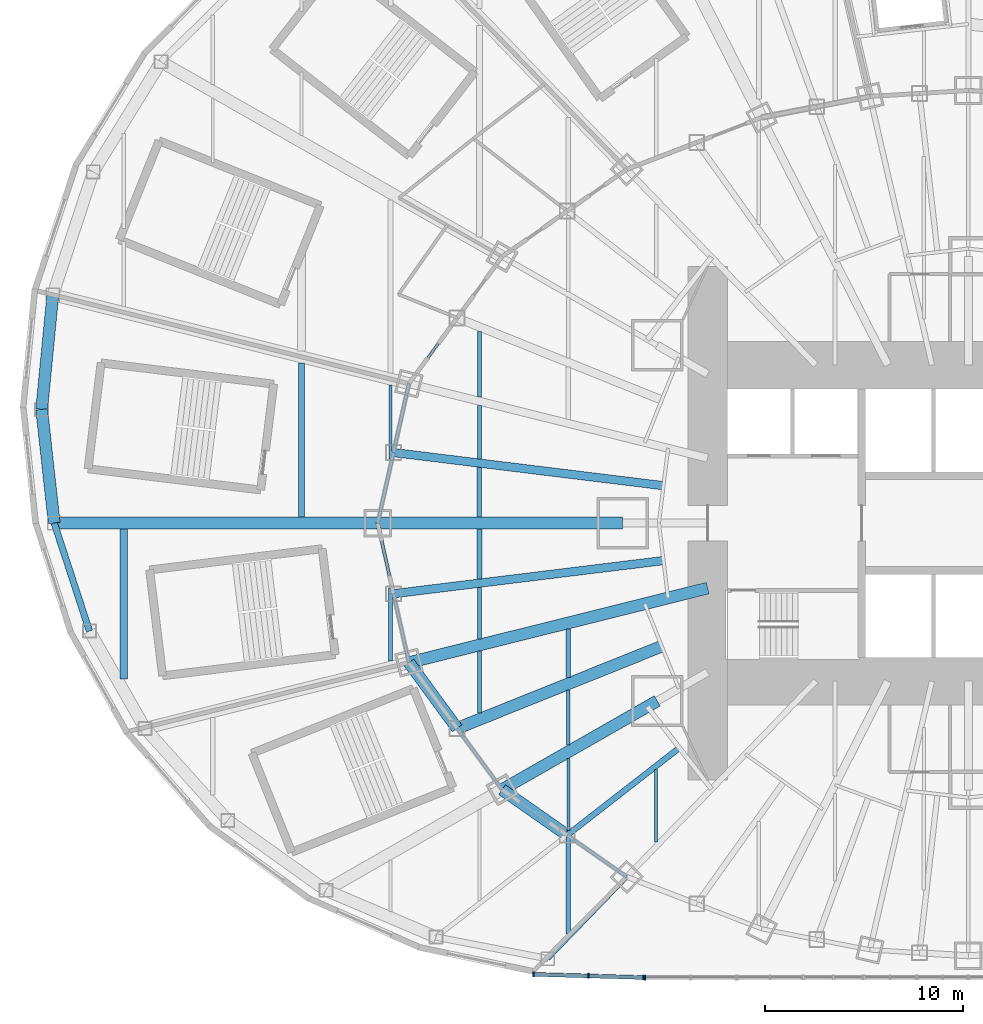
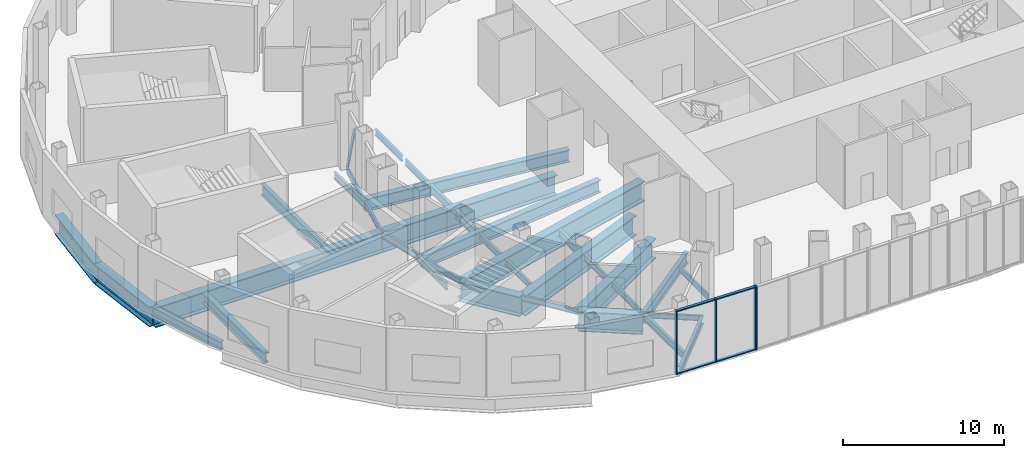
# One storey, part 2 of 73: 36 beams, 8 members, 2 elements without a shape of their own.
"""IFC4 building model written with IfcOpenShell, lengths in metres."""

from ifc_helpers import new_model, si_unit, direction, frame, origin, origin_2d, place, context, subcontext, project, spatial, rectangle, i_section, extrude, material, material_profile, profile_set, type_object, element, aggregate, save


model = new_model("IFC4")

# Units and contexts
model_context = context("Model", 3, precision=1e-05, world=origin(), true_north=direction((0.0, 1.0)))
body_context = subcontext(model_context, "Body", "Model", "MODEL_VIEW")
ifc_project = project(units=[si_unit("LENGTHUNIT", "METRE"), si_unit("AREAUNIT", "SQUARE_METRE"), si_unit("VOLUMEUNIT", "CUBIC_METRE"), si_unit("PLANEANGLEUNIT", "RADIAN"), si_unit("MASSUNIT", "GRAM", prefix="KILO")], contexts=[model_context])

# Site, building, storey
site_placement = place(None, origin())
site = spatial("IfcSite", under=ifc_project, at=site_placement, CompositionType="ELEMENT")
building_placement = place(site_placement, origin())
building = spatial("IfcBuilding", under=site, at=building_placement, Name="Lantaw Convention Tower", CompositionType="ELEMENT")
storey_placement = place(building_placement, frame((0.0, 0.0, 22.0)))
storey = spatial("IfcBuildingStorey", under=building, at=storey_placement, Name="L03", CompositionType="ELEMENT", Elevation=22.0)

# Beams
ifc_material_1 = material(Name="Steel ASTM A572 Grade 50", Category="steel")
ifc_material_profile_1 = material_profile(ifc_material_1, i_section(OverallWidth=0.60009765625, OverallDepth=1.5, WebThickness=0.02490234375, FlangeThickness=0.06005859375, at=origin_2d()), Name="PG1500X600X25X60")
ifc_profile_set_1 = profile_set([ifc_material_profile_1], Name="Steel ASTM A572 Grade 50")
beam_type_1 = type_object("IfcBeamType", Name="Beam E PG1500X600X25X60", PredefinedType="SPANDREL", material=ifc_profile_set_1)
beam_1_placement = place(storey_placement, frame((-28.31787109375, -7.060302734375, -0.949951171875), z_axis=(0.591255937291, -0.806483984105, 0.0), x_axis=(0.806483984105, 0.591255937291, 0.0)))
element("IfcBeam", 1, at=beam_1_placement, inside=storey, type_object=beam_type_1, Name="Edge beam 14", PredefinedType="SPANDREL", context=body_context, shape_type="SweptSolid", body=[
    extrude(i_section(OverallWidth=0.60009765625, OverallDepth=1.5, WebThickness=0.02490234375, FlangeThickness=0.06005859375, at=origin_2d()), origin(), (0.0, 0.0, 1.0), 4.126708984375),
])
beam_2_placement = place(storey_placement, frame((-23.60498046875, -13.488525390625, -0.949951171875), z_axis=(0.819442856133, -0.573160889744, 0.0), x_axis=(0.573160889744, 0.819442856133, 0.0)))
element("IfcBeam", 2, at=beam_2_placement, inside=storey, type_object=beam_type_1, Name="Edge beam 15", PredefinedType="SPANDREL", context=body_context, shape_type="SweptSolid", body=[
    extrude(i_section(OverallWidth=0.60009765625, OverallDepth=1.5, WebThickness=0.02490234375, FlangeThickness=0.06005859375, at=origin_2d()), origin(), (0.0, 0.0, 1.0), 4.022705078125),
])
beam_3_placement = place(storey_placement, frame((-46.342529296875, 11.554443359375, -0.949951171875), z_axis=(-0.097112121047, -0.995273447825, 0.0), x_axis=(0.995273447825, -0.097112121047, 0.0)))
element("IfcBeam", 3, at=beam_3_placement, inside=storey, type_object=beam_type_1, Name="Podium edge beam R11", PredefinedType="SPANDREL", context=body_context, shape_type="SweptSolid", body=[
    extrude(i_section(OverallWidth=0.60009765625, OverallDepth=1.5, WebThickness=0.02490234375, FlangeThickness=0.06005859375, at=origin_2d()), origin(), (0.0, 0.0, 1.0), 5.822509765625),
])
beam_4_placement = place(storey_placement, frame((-46.907958984375, 5.759521484375, -0.949951171875), z_axis=(0.109673093737, -0.993967712006, 0.0), x_axis=(0.993967712006, 0.109673093737, 0.0)))
element("IfcBeam", 4, at=beam_4_placement, inside=storey, type_object=beam_type_1, Name="Podium edge beam B11", PredefinedType="SPANDREL", context=body_context, shape_type="SweptSolid", body=[
    extrude(i_section(OverallWidth=0.60009765625, OverallDepth=1.5, WebThickness=0.02490234375, FlangeThickness=0.06005859375, at=origin_2d()), origin(), (0.0, 0.0, 1.0), 5.79443359375),
])
ifc_material_2 = material(Name="Steel ASTM A992", Category="steel")
ifc_material_profile_2 = material_profile(ifc_material_2, i_section(OverallWidth=0.140380859375, OverallDepth=0.40380859375, WebThickness=0.007080078125, FlangeThickness=0.01123046875, FilletRadius=0.01025390625, at=origin_2d()), Name="W16X31")
ifc_profile_set_2 = profile_set([ifc_material_profile_2], Name="Steel ASTM A992")
beam_type_2 = type_object("IfcBeamType", Name="Beam E W16X31", PredefinedType="SPANDREL", material=ifc_profile_set_2)
beam_5_placement = place(storey_placement, frame((-25.8779296875, 10.388427734375, -0.40185546875), z_axis=(-0.591255937291, -0.806483984105, 0.0), x_axis=(0.806483984105, -0.591255937291, 0.0)))
element("IfcBeam", 5, at=beam_5_placement, inside=storey, type_object=beam_type_2, Name="Edge beam 11", PredefinedType="SPANDREL", context=body_context, shape_type="SweptSolid", body=[
    extrude(i_section(OverallWidth=0.140380859375, OverallDepth=0.40380859375, WebThickness=0.007080078125, FlangeThickness=0.01123046875, FilletRadius=0.01025390625, at=origin_2d()), origin(), (0.0, 0.0, 1.0), 4.126708984375),
])
beam_6_placement = place(storey_placement, frame((-29.099365234375, -3.572998046875, -0.40185546875), z_axis=(0.218673326171, -0.97579812278, 0.0), x_axis=(0.97579812278, 0.218673326171, 0.0)))
element("IfcBeam", 6, at=beam_6_placement, inside=storey, type_object=beam_type_2, Name="Edge beam 13", PredefinedType="SPANDREL", context=body_context, shape_type="SweptSolid", body=[
    extrude(i_section(OverallWidth=0.140380859375, OverallDepth=0.40380859375, WebThickness=0.007080078125, FlangeThickness=0.01123046875, FilletRadius=0.01025390625, at=origin_2d()), origin(), (0.0, 0.0, 1.0), 3.57373046875),
])
beam_7_placement = place(storey_placement, frame((-25.8779296875, -10.388427734375, -0.40185546875), z_axis=(0.591286566758, -0.806461527893, 0.0), x_axis=(0.806461527893, 0.591286566758, 0.0)))
element("IfcBeam", 7, at=beam_7_placement, inside=storey, type_object=beam_type_2, Name="Edge beam 14", PredefinedType="SPANDREL", context=body_context, shape_type="SweptSolid", body=[
    extrude(i_section(OverallWidth=0.140380859375, OverallDepth=0.40380859375, WebThickness=0.007080078125, FlangeThickness=0.01123046875, FilletRadius=0.01025390625, at=origin_2d()), origin(), (0.0, 0.0, 1.0), 3.843994140625),
])
beam_8_placement = place(storey_placement, frame((-20.30859375, -15.794189453125, -0.40185546875), z_axis=(0.819409395821, -0.573208724672, 0.0), x_axis=(0.573208724672, 0.819409395821, 0.0)))
element("IfcBeam", 8, at=beam_8_placement, inside=storey, type_object=beam_type_2, Name="Edge beam 15", PredefinedType="SPANDREL", context=body_context, shape_type="SweptSolid", body=[
    extrude(i_section(OverallWidth=0.140380859375, OverallDepth=0.40380859375, WebThickness=0.007080078125, FlangeThickness=0.01123046875, FilletRadius=0.01025390625, at=origin_2d()), origin(), (0.0, 0.0, 1.0), 3.682861328125),
])
ifc_material_profile_3 = material_profile(ifc_material_2, i_section(OverallWidth=0.15234375, OverallDepth=0.449462890625, WebThickness=0.007568359375, FlangeThickness=0.0107421875, FilletRadius=0.01025390625, at=origin_2d()), Name="W18X35")
ifc_profile_set_3 = profile_set([ifc_material_profile_3], Name="Steel ASTM A992")
beam_type_3 = type_object("IfcBeamType", Name="Beam E W18X35", PredefinedType="SPANDREL", material=ifc_profile_set_3)
beam_9_placement = place(storey_placement, frame((-28.31787109375, 7.060302734375, -0.4248046875), z_axis=(-0.218673326171, -0.97579812278, 0.0), x_axis=(0.97579812278, -0.218673326171, 0.0)))
element("IfcBeam", 9, at=beam_9_placement, inside=storey, type_object=beam_type_3, Name="Edge beam 12", PredefinedType="SPANDREL", context=body_context, shape_type="SweptSolid", body=[
    extrude(i_section(OverallWidth=0.15234375, OverallDepth=0.449462890625, WebThickness=0.007568359375, FlangeThickness=0.0107421875, FilletRadius=0.01025390625, at=origin_2d()), origin(), (0.0, 0.0, 1.0), 3.57373046875),
])
beam_10_placement = place(storey_placement, frame((-29.099365234375, 3.572998046875, -0.4248046875), z_axis=(-0.218631550323, -0.975807483679, 0.0), x_axis=(0.975807483679, -0.218631550323, 0.0)))
element("IfcBeam", 10, at=beam_10_placement, inside=storey, type_object=beam_type_3, Name="Edge beam 12", PredefinedType="SPANDREL", context=body_context, shape_type="SweptSolid", body=[
    extrude(i_section(OverallWidth=0.15234375, OverallDepth=0.449462890625, WebThickness=0.007568359375, FlangeThickness=0.0107421875, FilletRadius=0.01025390625, at=origin_2d()), origin(), (0.0, 0.0, 1.0), 3.66162109375),
])
ifc_material_profile_4 = material_profile(ifc_material_2, i_section(OverallWidth=0.165771484375, OverallDepth=0.5283203125, WebThickness=0.009765625, FlangeThickness=0.013671875, FilletRadius=0.012939453125, at=origin_2d()), Name="W21X50")
ifc_profile_set_4 = profile_set([ifc_material_profile_4], Name="Steel ASTM A992")
beam_type_4 = type_object("IfcBeamType", Name="Beam E W21X50", PredefinedType="SPANDREL", material=ifc_profile_set_4)
beam_11_placement = place(storey_placement, frame((-29.89990234375, 0.0, -0.464111328125), z_axis=(0.218631550323, -0.975807483679, 0.0), x_axis=(0.975807483679, 0.218631550323, 0.0)))
element("IfcBeam", 11, at=beam_11_placement, inside=storey, type_object=beam_type_4, Name="Edge beam 13", PredefinedType="SPANDREL", context=body_context, shape_type="SweptSolid", body=[
    extrude(i_section(OverallWidth=0.165771484375, OverallDepth=0.5283203125, WebThickness=0.009765625, FlangeThickness=0.013671875, FilletRadius=0.012939453125, at=origin_2d()), origin(), (0.0, 0.0, 1.0), 3.66162109375),
])
ifc_material_profile_5 = material_profile(ifc_material_2, i_section(OverallWidth=0.3251953125, OverallDepth=0.612060546875, WebThickness=0.0126953125, FlangeThickness=0.01904296875, FilletRadius=0.0126953125, at=origin_2d()), Name="W24X104")
ifc_profile_set_5 = profile_set([ifc_material_profile_5], Name="Steel ASTM A992")
beam_type_5 = type_object("IfcBeamType", Name="Beam E W24X104", PredefinedType="SPANDREL", material=ifc_profile_set_5)
beam_12_placement = place(storey_placement, frame((-46.2724609375, 0.0, -0.506103515625), z_axis=(0.310448009473, -0.950590360468, 0.0), x_axis=(0.950590360468, 0.310448009473, 0.0)))
element("IfcBeam", 12, at=beam_12_placement, inside=storey, type_object=beam_type_5, Name="Podium edge beam R12", PredefinedType="SPANDREL", context=body_context, shape_type="SweptSolid", body=[
    extrude(i_section(OverallWidth=0.3251953125, OverallDepth=0.612060546875, WebThickness=0.0126953125, FlangeThickness=0.01904296875, FilletRadius=0.0126953125, at=origin_2d()), origin(), (0.0, 0.0, 1.0), 5.746337890625),
])
ifc_material_profile_6 = material_profile(ifc_material_1, i_section(OverallWidth=0.60009765625, OverallDepth=1.5, WebThickness=0.02490234375, FlangeThickness=0.06005859375, at=origin_2d()), Name="PG1500X600X25X60")
ifc_profile_set_6 = profile_set([ifc_material_profile_6], Name="Steel ASTM A572 Grade 50")
beam_type_6 = type_object("IfcBeamType", Name="Beam G PG1500X600X25X60", PredefinedType="BEAM", material=ifc_profile_set_6)
beam_13_placement = place(storey_placement, frame((-17.5, 0.0, -0.949951171875), z_axis=(-1.0, 0.0, 0.0), x_axis=(0.0, -1.0, 0.0)))
element("IfcBeam", 13, at=beam_13_placement, inside=storey, type_object=beam_type_6, Name="Floor girder on ray 13", PredefinedType="BEAM", context=body_context, shape_type="SweptSolid", body=[
    extrude(i_section(OverallWidth=0.60009765625, OverallDepth=1.5, WebThickness=0.02490234375, FlangeThickness=0.06005859375, at=origin_2d()), origin(), (0.0, 0.0, 1.0), 12.39990234375),
])
beam_14_placement = place(storey_placement, frame((-13.199951171875, -3.291015625, -0.949951171875), z_axis=(-0.970296233567, -0.241919860957, 0.0), x_axis=(0.241919860957, -0.970296233567, 0.0)))
element("IfcBeam", 14, at=beam_14_placement, inside=storey, type_object=beam_type_6, Name="Floor girder on ray 14", PredefinedType="BEAM", context=body_context, shape_type="SweptSolid", body=[
    extrude(i_section(OverallWidth=0.60009765625, OverallDepth=1.5, WebThickness=0.02490234375, FlangeThickness=0.06005859375, at=origin_2d()), origin(), (0.0, 0.0, 1.0), 15.580810546875),
])
beam_15_placement = place(storey_placement, frame((-15.52001953125, -6.23046875, -0.949951171875), z_axis=(-0.928018900171, -0.372533113864, 0.0), x_axis=(0.372533113864, -0.928018900171, 0.0)))
element("IfcBeam", 15, at=beam_15_placement, inside=storey, type_object=beam_type_6, Name="Floor girder on bisector 14", PredefinedType="BEAM", context=body_context, shape_type="SweptSolid", body=[
    extrude(i_section(OverallWidth=0.60009765625, OverallDepth=1.5, WebThickness=0.02490234375, FlangeThickness=0.06005859375, at=origin_2d()), origin(), (0.0, 0.0, 1.0), 11.161376953125),
])
beam_16_placement = place(storey_placement, frame((-15.75, -9.0, -0.949951171875), z_axis=(-0.868244802791, -0.496136032179, 0.0), x_axis=(0.496136032179, -0.868244802791, 0.0)))
element("IfcBeam", 16, at=beam_16_placement, inside=storey, type_object=beam_type_6, Name="Floor girder on ray 15", PredefinedType="BEAM", context=body_context, shape_type="SweptSolid", body=[
    extrude(i_section(OverallWidth=0.60009765625, OverallDepth=1.5, WebThickness=0.02490234375, FlangeThickness=0.06005859375, at=origin_2d()), origin(), (0.0, 0.0, 1.0), 9.046875),
])
ifc_material_profile_7 = material_profile(ifc_material_2, i_section(OverallWidth=0.2919921875, OverallDepth=0.845703125, WebThickness=0.015380859375, FlangeThickness=0.0244140625, FilletRadius=0.01513671875, at=origin_2d()), Name="W33X141")
ifc_profile_set_7 = profile_set([ifc_material_profile_7], Name="Steel ASTM A992")
beam_type_7 = type_object("IfcBeamType", Name="Beam G W33X141", PredefinedType="BEAM", material=ifc_profile_set_7)
beam_17_placement = place(storey_placement, frame((-14.628173828125, -11.37646484375, -0.622802734375), z_axis=(-0.789377792374, -0.613907729961, 0.0), x_axis=(0.613907729961, -0.789377792374, 0.0)))
element("IfcBeam", 17, at=beam_17_placement, inside=storey, type_object=beam_type_7, Name="Floor girder on bisector 15", PredefinedType="BEAM", context=body_context, shape_type="SweptSolid", body=[
    extrude(i_section(OverallWidth=0.2919921875, OverallDepth=0.845703125, WebThickness=0.015380859375, FlangeThickness=0.0244140625, FilletRadius=0.01513671875, at=origin_2d()), origin(), (0.0, 0.0, 1.0), 7.196044921875),
])
ifc_material_profile_8 = material_profile(ifc_material_2, i_section(OverallWidth=0.421630859375, OverallDepth=0.937255859375, WebThickness=0.0224609375, FlangeThickness=0.039794921875, FilletRadius=0.02001953125, at=origin_2d()), Name="W36X282")
ifc_profile_set_8 = profile_set([ifc_material_profile_8], Name="Steel ASTM A992")
beam_type_8 = type_object("IfcBeamType", Name="Beam G W36X282", PredefinedType="BEAM", material=ifc_profile_set_8)
beam_18_placement = place(storey_placement, frame((-15.433349609375, 1.89501953125, -0.668701171875), z_axis=(-0.99254612715, 0.121869542874, 0.0), x_axis=(-0.121869542874, -0.99254612715, 0.0)))
element("IfcBeam", 18, at=beam_18_placement, inside=storey, type_object=beam_type_8, Name="Floor girder on bisector 12", PredefinedType="BEAM", context=body_context, shape_type="SweptSolid", body=[
    extrude(i_section(OverallWidth=0.421630859375, OverallDepth=0.937255859375, WebThickness=0.0224609375, FlangeThickness=0.039794921875, FilletRadius=0.02001953125, at=origin_2d()), origin(), (0.0, 0.0, 1.0), 13.7685546875),
])
ifc_material_profile_9 = material_profile(ifc_material_2, i_section(OverallWidth=0.424072265625, OverallDepth=0.947509765625, WebThickness=0.02392578125, FlangeThickness=0.042724609375, FilletRadius=0.012451171875, at=origin_2d()), Name="W36X302")
ifc_profile_set_9 = profile_set([ifc_material_profile_9], Name="Steel ASTM A992")
beam_type_9 = type_object("IfcBeamType", Name="Beam G W36X302", PredefinedType="BEAM", material=ifc_profile_set_9)
beam_19_placement = place(storey_placement, frame((-15.433349609375, -1.89501953125, -0.673828125), z_axis=(-0.99254612715, -0.121869542874, 0.0), x_axis=(0.121869542874, -0.99254612715, 0.0)))
element("IfcBeam", 19, at=beam_19_placement, inside=storey, type_object=beam_type_9, Name="Floor girder on bisector 13", PredefinedType="BEAM", context=body_context, shape_type="SweptSolid", body=[
    extrude(i_section(OverallWidth=0.424072265625, OverallDepth=0.947509765625, WebThickness=0.02392578125, FlangeThickness=0.042724609375, FilletRadius=0.012451171875, at=origin_2d()), origin(), (0.0, 0.0, 1.0), 13.7685546875),
])
ifc_material_profile_10 = material_profile(ifc_material_2, i_section(OverallWidth=0.15234375, OverallDepth=0.449462890625, WebThickness=0.007568359375, FlangeThickness=0.0107421875, FilletRadius=0.01025390625, at=origin_2d()), Name="W18X35")
ifc_profile_set_10 = profile_set([ifc_material_profile_10], Name="Steel ASTM A992")
beam_type_10 = type_object("IfcBeamType", Name="Beam J W18X35", PredefinedType="JOIST", material=ifc_profile_set_10)
beam_20_placement = place(storey_placement, frame((-20.25, -15.5634765625, -0.4248046875), z_axis=(0.0, 1.0, 0.0), x_axis=(-1.0, 0.0, 0.0)))
element("IfcBeam", 20, at=beam_20_placement, inside=storey, type_object=beam_type_10, Name="Floor joist", PredefinedType="JOIST", context=body_context, shape_type="SweptSolid", body=[
    extrude(i_section(OverallWidth=0.15234375, OverallDepth=0.449462890625, WebThickness=0.007568359375, FlangeThickness=0.0107421875, FilletRadius=0.01025390625, at=origin_2d()), origin(), (0.0, 0.0, 1.0), 3.646484375),
])
beam_21_placement = place(storey_placement, frame((-15.800048828125, -16.151123046875, -0.4248046875), z_axis=(0.0, 1.0, 0.0), x_axis=(-1.0, 0.0, 0.0)))
element("IfcBeam", 21, at=beam_21_placement, inside=storey, type_object=beam_type_10, Name="Floor joist", PredefinedType="JOIST", context=body_context, shape_type="SweptSolid", body=[
    extrude(i_section(OverallWidth=0.15234375, OverallDepth=0.449462890625, WebThickness=0.007568359375, FlangeThickness=0.0107421875, FilletRadius=0.01025390625, at=origin_2d()), origin(), (0.0, 0.0, 1.0), 3.67822265625),
])
ifc_material_profile_11 = material_profile(ifc_material_2, i_section(OverallWidth=0.1904296875, OverallDepth=0.457275390625, WebThickness=0.009033203125, FlangeThickness=0.014404296875, FilletRadius=0.01025390625, at=origin_2d()), Name="W18X50")
ifc_profile_set_11 = profile_set([ifc_material_profile_11], Name="Steel ASTM A992")
beam_type_11 = type_object("IfcBeamType", Name="Beam J W18X50", PredefinedType="JOIST", material=ifc_profile_set_11)
beam_22_placement = place(storey_placement, frame((-24.75, -9.6123046875, -0.4287109375), z_axis=(0.0, 1.0, 0.0), x_axis=(-1.0, 0.0, 0.0)))
element("IfcBeam", 22, at=beam_22_placement, inside=storey, type_object=beam_type_11, Name="Floor joist", PredefinedType="JOIST", context=body_context, shape_type="SweptSolid", body=[
    extrude(i_section(OverallWidth=0.1904296875, OverallDepth=0.457275390625, WebThickness=0.009033203125, FlangeThickness=0.014404296875, FilletRadius=0.01025390625, at=origin_2d()), origin(), (0.0, 0.0, 1.0), 3.13232421875),
])
beam_23_placement = place(storey_placement, frame((-24.75, -5.861572265625, -0.4287109375), z_axis=(0.0, 1.0, 0.0), x_axis=(-1.0, 0.0, 0.0)))
element("IfcBeam", 23, at=beam_23_placement, inside=storey, type_object=beam_type_11, Name="Floor joist", PredefinedType="JOIST", context=body_context, shape_type="SweptSolid", body=[
    extrude(i_section(OverallWidth=0.1904296875, OverallDepth=0.457275390625, WebThickness=0.009033203125, FlangeThickness=0.014404296875, FilletRadius=0.01025390625, at=origin_2d()), origin(), (0.0, 0.0, 1.0), 2.60888671875),
])
beam_24_placement = place(storey_placement, frame((-24.75, 3.251220703125, -0.4287109375), z_axis=(0.0, 1.0, 0.0), x_axis=(-1.0, 0.0, 0.0)))
element("IfcBeam", 24, at=beam_24_placement, inside=storey, type_object=beam_type_11, Name="Floor joist", PredefinedType="JOIST", context=body_context, shape_type="SweptSolid", body=[
    extrude(i_section(OverallWidth=0.1904296875, OverallDepth=0.457275390625, WebThickness=0.009033203125, FlangeThickness=0.014404296875, FilletRadius=0.01025390625, at=origin_2d()), origin(), (0.0, 0.0, 1.0), 2.71142578125),
])
beam_25_placement = place(storey_placement, frame((-24.75, 6.37890625, -0.4287109375), z_axis=(0.0, 1.0, 0.0), x_axis=(-1.0, 0.0, 0.0)))
element("IfcBeam", 25, at=beam_25_placement, inside=storey, type_object=beam_type_11, Name="Floor joist", PredefinedType="JOIST", context=body_context, shape_type="SweptSolid", body=[
    extrude(i_section(OverallWidth=0.1904296875, OverallDepth=0.457275390625, WebThickness=0.009033203125, FlangeThickness=0.014404296875, FilletRadius=0.01025390625, at=origin_2d()), origin(), (0.0, 0.0, 1.0), 3.32958984375),
])
ifc_material_profile_12 = material_profile(ifc_material_2, i_section(OverallWidth=0.1650390625, OverallDepth=0.52587890625, WebThickness=0.0087890625, FlangeThickness=0.011474609375, FilletRadius=0.0126953125, at=origin_2d()), Name="W21X44")
ifc_profile_set_12 = profile_set([ifc_material_profile_12], Name="Steel ASTM A992")
beam_type_12 = type_object("IfcBeamType", Name="Beam J W21X44", PredefinedType="JOIST", material=ifc_profile_set_12)
beam_26_placement = place(storey_placement, frame((-29.25, 3.2490234375, -0.462890625), z_axis=(0.0, 1.0, 0.0), x_axis=(-1.0, 0.0, 0.0)))
element("IfcBeam", 26, at=beam_26_placement, inside=storey, type_object=beam_type_12, Name="Floor joist", PredefinedType="JOIST", context=body_context, shape_type="SweptSolid", body=[
    extrude(i_section(OverallWidth=0.1650390625, OverallDepth=0.52587890625, WebThickness=0.0087890625, FlangeThickness=0.011474609375, FilletRadius=0.0126953125, at=origin_2d()), origin(), (0.0, 0.0, 1.0), 3.734619140625),
])
beam_27_placement = place(storey_placement, frame((-20.25, -11.225830078125, -0.462890625), z_axis=(0.0, 1.0, 0.0), x_axis=(-1.0, 0.0, 0.0)))
element("IfcBeam", 27, at=beam_27_placement, inside=storey, type_object=beam_type_12, Name="Floor joist", PredefinedType="JOIST", context=body_context, shape_type="SweptSolid", body=[
    extrude(i_section(OverallWidth=0.1650390625, OverallDepth=0.52587890625, WebThickness=0.0087890625, FlangeThickness=0.011474609375, FilletRadius=0.0126953125, at=origin_2d()), origin(), (0.0, 0.0, 1.0), 2.7734375),
])
ifc_material_profile_13 = material_profile(ifc_material_2, i_section(OverallWidth=0.209228515625, OverallDepth=0.533447265625, WebThickness=0.01025390625, FlangeThickness=0.015625, FilletRadius=0.012939453125, at=origin_2d()), Name="W21X62")
ifc_profile_set_13 = profile_set([ifc_material_profile_13], Name="Steel ASTM A992")
beam_type_13 = type_object("IfcBeamType", Name="Beam J W21X62", PredefinedType="JOIST", material=ifc_profile_set_13)
beam_28_placement = place(storey_placement, frame((-29.25, -6.983642578125, -0.466796875), z_axis=(0.0, 1.0, 0.0), x_axis=(-1.0, 0.0, 0.0)))
element("IfcBeam", 28, at=beam_28_placement, inside=storey, type_object=beam_type_13, Name="Floor joist", PredefinedType="JOIST", context=body_context, shape_type="SweptSolid", body=[
    extrude(i_section(OverallWidth=0.209228515625, OverallDepth=0.533447265625, WebThickness=0.01025390625, FlangeThickness=0.015625, FilletRadius=0.012939453125, at=origin_2d()), origin(), (0.0, 0.0, 1.0), 3.703857421875),
])
ifc_material_profile_14 = material_profile(ifc_material_2, i_section(OverallWidth=0.2099609375, OverallDepth=0.535888671875, WebThickness=0.010986328125, FlangeThickness=0.017333984375, FilletRadius=0.012939453125, at=origin_2d()), Name="W21X68")
ifc_profile_set_14 = profile_set([ifc_material_profile_14], Name="Steel ASTM A992")
beam_type_14 = type_object("IfcBeamType", Name="Beam J W21X68", PredefinedType="JOIST", material=ifc_profile_set_14)
beam_29_placement = place(storey_placement, frame((-20.25, -20.805419921875, -0.468017578125), z_axis=(0.0, 1.0, 0.0), x_axis=(-1.0, 0.0, 0.0)))
element("IfcBeam", 29, at=beam_29_placement, inside=storey, type_object=beam_type_14, Name="Floor joist", PredefinedType="JOIST", context=body_context, shape_type="SweptSolid", body=[
    extrude(i_section(OverallWidth=0.2099609375, OverallDepth=0.535888671875, WebThickness=0.010986328125, FlangeThickness=0.017333984375, FilletRadius=0.012939453125, at=origin_2d()), origin(), (0.0, 0.0, 1.0), 4.884521484375),
])
ifc_material_profile_15 = material_profile(ifc_material_2, i_section(OverallWidth=0.227783203125, OverallDepth=0.60205078125, WebThickness=0.010498046875, FlangeThickness=0.014892578125, FilletRadius=0.012939453125, at=origin_2d()), Name="W24X68")
ifc_profile_set_15 = profile_set([ifc_material_profile_15], Name="Steel ASTM A992")
beam_type_15 = type_object("IfcBeamType", Name="Beam J W24X68", PredefinedType="JOIST", material=ifc_profile_set_15)
beam_30_placement = place(storey_placement, frame((-20.25, -7.805908203125, -0.5009765625), z_axis=(0.0, 1.0, 0.0), x_axis=(-1.0, 0.0, 0.0)))
element("IfcBeam", 30, at=beam_30_placement, inside=storey, type_object=beam_type_15, Name="Floor joist", PredefinedType="JOIST", context=body_context, shape_type="SweptSolid", body=[
    extrude(i_section(OverallWidth=0.227783203125, OverallDepth=0.60205078125, WebThickness=0.010498046875, FlangeThickness=0.014892578125, FilletRadius=0.012939453125, at=origin_2d()), origin(), (0.0, 0.0, 1.0), 2.44775390625),
])
ifc_material_profile_16 = material_profile(ifc_material_2, i_section(OverallWidth=0.22900390625, OverallDepth=0.612060546875, WebThickness=0.011962890625, FlangeThickness=0.01953125, FilletRadius=0.0126953125, at=origin_2d()), Name="W24X84")
ifc_profile_set_16 = profile_set([ifc_material_profile_16], Name="Steel ASTM A992")
beam_type_16 = type_object("IfcBeamType", Name="Beam J W24X84", PredefinedType="JOIST", material=ifc_profile_set_16)
beam_31_placement = place(storey_placement, frame((-24.75, 0.300048828125, -0.506103515625), z_axis=(0.0, 1.0, 0.0), x_axis=(-1.0, 0.0, 0.0)))
element("IfcBeam", 31, at=beam_31_placement, inside=storey, type_object=beam_type_16, Name="Floor joist", PredefinedType="JOIST", context=body_context, shape_type="SweptSolid", body=[
    extrude(i_section(OverallWidth=0.22900390625, OverallDepth=0.612060546875, WebThickness=0.011962890625, FlangeThickness=0.01953125, FilletRadius=0.0126953125, at=origin_2d()), origin(), (0.0, 0.0, 1.0), 2.5263671875),
])
ifc_material_profile_17 = material_profile(ifc_material_2, i_section(OverallWidth=0.25390625, OverallDepth=0.683349609375, WebThickness=0.012451171875, FlangeThickness=0.01904296875, FilletRadius=0.01513671875, at=origin_2d()), Name="W27X94")
ifc_profile_set_17 = profile_set([ifc_material_profile_17], Name="Steel ASTM A992")
beam_type_17 = type_object("IfcBeamType", Name="Beam J W27X94", PredefinedType="JOIST", material=ifc_profile_set_17)
beam_32_placement = place(storey_placement, frame((-24.75, -2.8251953125, -0.541748046875), z_axis=(0.0, 1.0, 0.0), x_axis=(-1.0, 0.0, 0.0)))
element("IfcBeam", 32, at=beam_32_placement, inside=storey, type_object=beam_type_17, Name="Floor joist", PredefinedType="JOIST", context=body_context, shape_type="SweptSolid", body=[
    extrude(i_section(OverallWidth=0.25390625, OverallDepth=0.683349609375, WebThickness=0.012451171875, FlangeThickness=0.01904296875, FilletRadius=0.01513671875, at=origin_2d()), origin(), (0.0, 0.0, 1.0), 2.525146484375),
])
ifc_material_profile_18 = material_profile(ifc_material_2, i_section(OverallWidth=0.381103515625, OverallDepth=0.772216796875, WebThickness=0.0166015625, FlangeThickness=0.027099609375, FilletRadius=0.0146484375, at=origin_2d()), Name="W30X173")
ifc_profile_set_18 = profile_set([ifc_material_profile_18], Name="Steel ASTM A992")
beam_type_18 = type_object("IfcBeamType", Name="Beam J W30X173", PredefinedType="JOIST", material=ifc_profile_set_18)
beam_33_placement = place(storey_placement, frame((-42.75, -7.89990234375, -0.586181640625), z_axis=(0.0, 1.0, 0.0), x_axis=(-1.0, 0.0, 0.0)))
element("IfcBeam", 33, at=beam_33_placement, inside=storey, type_object=beam_type_18, Name="Floor joist", PredefinedType="JOIST", context=body_context, shape_type="SweptSolid", body=[
    extrude(i_section(OverallWidth=0.381103515625, OverallDepth=0.772216796875, WebThickness=0.0166015625, FlangeThickness=0.027099609375, FilletRadius=0.0146484375, at=origin_2d()), origin(), (0.0, 0.0, 1.0), 7.599853515625),
])
ifc_material_profile_19 = material_profile(ifc_material_2, i_section(OverallWidth=0.2919921875, OverallDepth=0.845703125, WebThickness=0.015380859375, FlangeThickness=0.0244140625, FilletRadius=0.01513671875, at=origin_2d()), Name="W33X141")
ifc_profile_set_19 = profile_set([ifc_material_profile_19], Name="Steel ASTM A992")
beam_type_19 = type_object("IfcBeamType", Name="Beam J W33X141", PredefinedType="JOIST", material=ifc_profile_set_19)
beam_34_placement = place(storey_placement, frame((-33.75, 0.300048828125, -0.622802734375), z_axis=(0.0, 1.0, 0.0), x_axis=(-1.0, 0.0, 0.0)))
element("IfcBeam", 34, at=beam_34_placement, inside=storey, type_object=beam_type_19, Name="Floor joist", PredefinedType="JOIST", context=body_context, shape_type="SweptSolid", body=[
    extrude(i_section(OverallWidth=0.2919921875, OverallDepth=0.845703125, WebThickness=0.015380859375, FlangeThickness=0.0244140625, FilletRadius=0.01513671875, at=origin_2d()), origin(), (0.0, 0.0, 1.0), 7.8056640625),
])
ifc_material_profile_20 = material_profile(ifc_material_1, i_section(OverallWidth=0.60009765625, OverallDepth=1.5, WebThickness=0.02490234375, FlangeThickness=0.06005859375, at=origin_2d()), Name="PG1500X600X25X60")
ifc_profile_set_20 = profile_set([ifc_material_profile_20], Name="Steel ASTM A572 Grade 50")
beam_type_20 = type_object("IfcBeamType", Name="Beam PG PG1500X600X25X60", PredefinedType="BEAM", material=ifc_profile_set_20)
beam_35_placement = place(storey_placement, frame((-29.89990234375, 0.0, -0.949951171875), z_axis=(-1.0, 0.0, 0.0), x_axis=(0.0, -1.0, 0.0)))
element("IfcBeam", 35, at=beam_35_placement, inside=storey, type_object=beam_type_20, Name="Podium girder PR13", PredefinedType="BEAM", context=body_context, shape_type="SweptSolid", body=[
    extrude(i_section(OverallWidth=0.60009765625, OverallDepth=1.5, WebThickness=0.02490234375, FlangeThickness=0.06005859375, at=origin_2d()), origin(), (0.0, 0.0, 1.0), 16.37255859375),
])
ifc_material_profile_21 = material_profile(ifc_material_2, i_section(OverallWidth=0.227783203125, OverallDepth=0.60205078125, WebThickness=0.010498046875, FlangeThickness=0.014892578125, FilletRadius=0.012939453125, at=origin_2d()), Name="W24X68")
ifc_profile_set_21 = profile_set([ifc_material_profile_21], Name="Steel ASTM A992")
beam_type_21 = type_object("IfcBeamType", Name="Beam PG W24X68", PredefinedType="BEAM", material=ifc_profile_set_21)
beam_36_placement = place(storey_placement, frame((-17.290771484375, -17.9052734375, -0.5009765625), z_axis=(-0.694661096328, -0.719337167987, 0.0), x_axis=(0.719337167987, -0.694661096328, 0.0)))
element("IfcBeam", 36, at=beam_36_placement, inside=storey, type_object=beam_type_21, Name="Podium girder PR16", PredefinedType="BEAM", context=body_context, shape_type="SweptSolid", body=[
    extrude(i_section(OverallWidth=0.227783203125, OverallDepth=0.60205078125, WebThickness=0.010498046875, FlangeThickness=0.014892578125, FilletRadius=0.012939453125, at=origin_2d()), origin(), (0.0, 0.0, 1.0), 5.75830078125),
])

# Curtain wall, members
ifc_material_3 = material(Name="Aluminium framed curtain wall", Category="aluminium")
curtain_wall_type = type_object("IfcCurtainWallType", Name="Podium storefront curtain wall, pale aluminium", PredefinedType="USERDEFINED", material=ifc_material_3)
curtain_wall_1_placement = place(storey_placement, origin())
curtain_wall_1 = element("IfcCurtainWall", 37, at=curtain_wall_1_placement, inside=storey, type_object=curtain_wall_type, Name="Podium storefront curtain wall, pale aluminium L03", ObjectType="STOREFRONT", PredefinedType="USERDEFINED")
ifc_material_4 = material(Name="Aluminium 6063-T6", Category="aluminium")
ifc_material_profile_22 = material_profile(ifc_material_4, rectangle(XDim=0.25, YDim=0.080078125, at=origin_2d()), Name="CW-P mullion 80x250")
ifc_profile_set_22 = profile_set([ifc_material_profile_22], Name="Aluminium 6063-T6")
member_type_1 = type_object("IfcMemberType", Name="CW-P mullion 80x250", PredefinedType="MULLION", material=ifc_profile_set_22)
member_1_placement = place(storey_placement, frame((-22.01513671875, -22.83984375, 0.0), z_axis=(0.0, 0.0, 1.0), x_axis=(0.028552206976, 0.99959230263, 0.0)))
member_1 = element("IfcMember", 38, at=member_1_placement, type_object=member_type_1, Name="CW-P mullion 1", PredefinedType="MULLION", context=body_context, shape_type="SweptSolid", body=[
    extrude(rectangle(XDim=0.25, YDim=0.080078125, at=origin_2d()), origin(), (0.0, 0.0, 1.0), 4.800048828125),
])
member_2_placement = place(storey_placement, frame((-19.23046875, -22.91943359375, 0.0), z_axis=(0.0, 0.0, 1.0), x_axis=(0.028552206976, 0.99959230263, 0.0)))
member_2 = element("IfcMember", 39, at=member_2_placement, type_object=member_type_1, Name="CW-P mullion 2", PredefinedType="MULLION", context=body_context, shape_type="SweptSolid", body=[
    extrude(rectangle(XDim=0.25, YDim=0.080078125, at=origin_2d()), origin(), (0.0, 0.0, 1.0), 4.800048828125),
])
member_3_placement = place(storey_placement, frame((-16.44580078125, -22.998779296875, 0.0), z_axis=(0.0, 0.0, 1.0), x_axis=(0.028552206976, 0.99959230263, 0.0)))
member_3 = element("IfcMember", 40, at=member_3_placement, type_object=member_type_1, Name="CW-P mullion 3", PredefinedType="MULLION", context=body_context, shape_type="SweptSolid", body=[
    extrude(rectangle(XDim=0.25, YDim=0.080078125, at=origin_2d()), origin(), (0.0, 0.0, 1.0), 4.800048828125),
])

# Curtain wall, member
curtain_wall_2_placement = place(storey_placement, origin())
curtain_wall_2 = element("IfcCurtainWall", 41, at=curtain_wall_2_placement, inside=storey, type_object=curtain_wall_type, Name="Podium storefront curtain wall, pale aluminium L03", ObjectType="STOREFRONT", PredefinedType="USERDEFINED")
member_4_placement = place(storey_placement, frame((-16.36572265625, -23.0, 0.0), z_axis=(0.0, 0.0, 1.0), x_axis=(0.0, 1.0, 0.0)))
member_4 = element("IfcMember", 42, at=member_4_placement, type_object=member_type_1, Name="CW-P mullion 1", PredefinedType="MULLION", context=body_context, shape_type="SweptSolid", body=[
    extrude(rectangle(XDim=0.25, YDim=0.080078125, at=origin_2d()), origin(), (0.0, 0.0, 1.0), 4.800048828125),
])
aggregate(curtain_wall_2, [member_4])

# Member
ifc_material_profile_23 = material_profile(ifc_material_4, rectangle(XDim=0.199951171875, YDim=0.080078125, at=origin_2d()), Name="CW-P transom 80x200")
ifc_profile_set_23 = profile_set([ifc_material_profile_23], Name="Aluminium 6063-T6")
member_type_2 = type_object("IfcMemberType", Name="CW-P transom 80x200", PredefinedType="USERDEFINED", material=ifc_profile_set_23)
member_5_placement = place(storey_placement, frame((-21.97509765625, -22.8408203125, 0.0400390625), z_axis=(0.999590908137, -0.028600985457, 0.0), x_axis=(0.028600985457, 0.999590908137, 0.0)))
member_5 = element("IfcMember", 43, at=member_5_placement, type_object=member_type_2, Name="CW-P transom 1.1", ObjectType="TRANSOM", PredefinedType="USERDEFINED", context=body_context, shape_type="SweptSolid", body=[
    extrude(rectangle(XDim=0.199951171875, YDim=0.080078125, at=origin_2d()), origin(), (0.0, 0.0, 1.0), 2.7060546875),
])

member_6_placement = place(storey_placement, frame((-21.97509765625, -22.8408203125, 4.760009765625), z_axis=(0.999590908137, -0.028600985457, 0.0), x_axis=(0.028600985457, 0.999590908137, 0.0)))
member_6 = element("IfcMember", 44, at=member_6_placement, type_object=member_type_2, Name="CW-P transom 1.2", ObjectType="TRANSOM", PredefinedType="USERDEFINED", context=body_context, shape_type="SweptSolid", body=[
    extrude(rectangle(XDim=0.199951171875, YDim=0.080078125, at=origin_2d()), origin(), (0.0, 0.0, 1.0), 2.7060546875),
])

member_7_placement = place(storey_placement, frame((-19.1904296875, -22.92041015625, 0.0400390625), z_axis=(0.999590908137, -0.028600985457, 0.0), x_axis=(0.028600985457, 0.999590908137, 0.0)))
member_7 = element("IfcMember", 45, at=member_7_placement, type_object=member_type_2, Name="CW-P transom 2.1", ObjectType="TRANSOM", PredefinedType="USERDEFINED", context=body_context, shape_type="SweptSolid", body=[
    extrude(rectangle(XDim=0.199951171875, YDim=0.080078125, at=origin_2d()), origin(), (0.0, 0.0, 1.0), 2.7060546875),
])

member_8_placement = place(storey_placement, frame((-19.1904296875, -22.92041015625, 4.760009765625), z_axis=(0.999590908137, -0.028600985457, 0.0), x_axis=(0.028600985457, 0.999590908137, 0.0)))
member_8 = element("IfcMember", 46, at=member_8_placement, type_object=member_type_2, Name="CW-P transom 2.2", ObjectType="TRANSOM", PredefinedType="USERDEFINED", context=body_context, shape_type="SweptSolid", body=[
    extrude(rectangle(XDim=0.199951171875, YDim=0.080078125, at=origin_2d()), origin(), (0.0, 0.0, 1.0), 2.7060546875),
])

aggregate(curtain_wall_1, [member_1, member_2, member_3, member_5, member_6, member_7, member_8])

save(model, "model.ifc")
